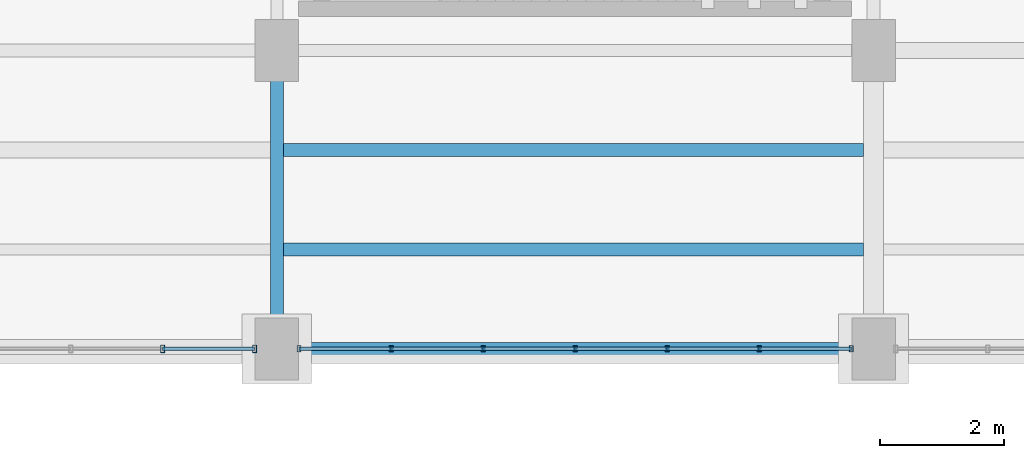
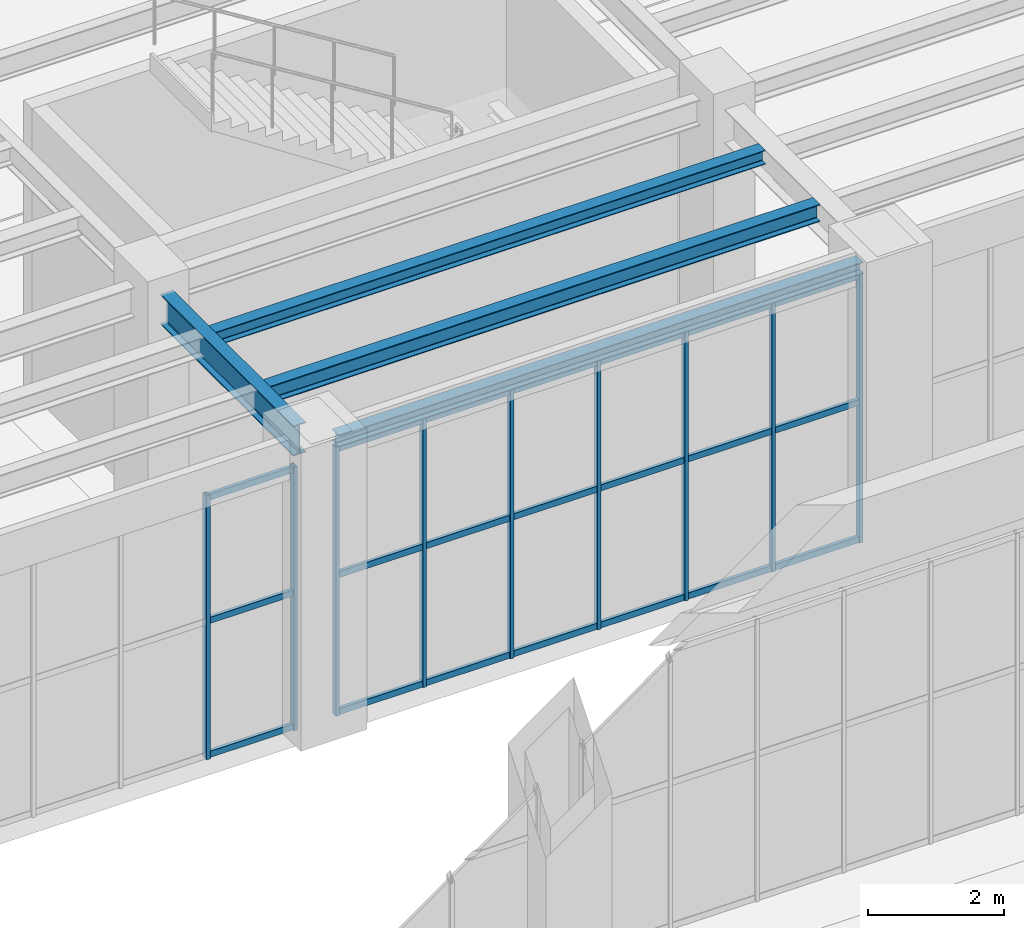
# One storey, part 101 of 164: 30 members, 4 beams, 2 elements without a shape of their own.
"""IFC4 building model written with IfcOpenShell, lengths in metres."""

from ifc_helpers import new_model, si_unit, direction, frame, origin, origin_2d, place, context, subcontext, project, spatial, hollow_rectangle, i_section, extrude, material, material_profile, profile_set, type_object, element, aggregate, save


model = new_model("IFC4")

# Units and contexts
model_context = context("Model", 3, precision=1e-05, world=origin(), true_north=direction((0.0, 1.0)))
body_context = subcontext(model_context, "Body", "Model", "MODEL_VIEW")
ifc_project = project(units=[si_unit("LENGTHUNIT", "METRE"), si_unit("AREAUNIT", "SQUARE_METRE"), si_unit("VOLUMEUNIT", "CUBIC_METRE"), si_unit("PLANEANGLEUNIT", "RADIAN"), si_unit("MASSUNIT", "GRAM", prefix="KILO")], contexts=[model_context])

# Site, building, storey
site_placement = place(None, origin())
site = spatial("IfcSite", under=ifc_project, at=site_placement, CompositionType="ELEMENT")
building_placement = place(site_placement, origin())
building = spatial("IfcBuilding", under=site, at=building_placement, Name="Mavantir Sound Aquarium", CompositionType="ELEMENT")
storey_placement = place(building_placement, origin())
storey = spatial("IfcBuildingStorey", under=building, at=storey_placement, Name="L00", CompositionType="ELEMENT", Elevation=0.0)

# Beams
ifc_material_1 = material(Name="Structural Steel ASTM A992 Gr50", Category="steel")
ifc_material_profile_1 = material_profile(ifc_material_1, i_section(OverallWidth=0.202880859375, OverallDepth=0.202880859375, WebThickness=0.007080078125, FlangeThickness=0.010986328125, FilletRadius=0.010009765625, at=origin_2d()), Name="W200X46")
ifc_profile_set_1 = profile_set([ifc_material_profile_1], Name="Structural Steel ASTM A992 Gr50")
beam_type_1 = type_object("IfcBeamType", Name="BM-W200X46-E", PredefinedType="LINTEL", material=ifc_profile_set_1)
beam_1_placement = place(storey_placement, frame((146.75, 36.0, 4.964599609375), z_axis=(1.0, 0.0, 0.0), x_axis=(0.0, 1.0, 0.0)))
element("IfcBeam", 1, at=beam_1_placement, inside=storey, type_object=beam_type_1, Name="L00 primary beam SL-20 928", PredefinedType="LINTEL", context=body_context, shape_type="SweptSolid", body=[
    extrude(i_section(OverallWidth=0.202880859375, OverallDepth=0.202880859375, WebThickness=0.007080078125, FlangeThickness=0.010986328125, FilletRadius=0.010009765625, at=origin_2d()), origin(), (0.0, 0.0, 1.0), 8.89990234375),
])
ifc_material_profile_2 = material_profile(ifc_material_1, i_section(OverallWidth=0.202880859375, OverallDepth=0.251953125, WebThickness=0.008056640625, FlangeThickness=0.013427734375, FilletRadius=0.011962890625, at=origin_2d()), Name="W250X58")
ifc_profile_set_2 = profile_set([ifc_material_profile_2], Name="Structural Steel ASTM A992 Gr50")
beam_type_2 = type_object("IfcBeamType", Name="BM-W250X58-I", PredefinedType="JOIST", material=ifc_profile_set_2)
beam_2_placement = place(storey_placement, frame((146.506103515625, 39.199951171875, 4.93994140625), z_axis=(1.0, 0.0, 0.0), x_axis=(0.0, 1.0, 0.0)))
element("IfcBeam", 2, at=beam_2_placement, inside=storey, type_object=beam_type_2, Name="L00 secondary floor joist SJ-25 516", PredefinedType="JOIST", context=body_context, shape_type="SweptSolid", body=[
    extrude(i_section(OverallWidth=0.202880859375, OverallDepth=0.251953125, WebThickness=0.008056640625, FlangeThickness=0.013427734375, FilletRadius=0.011962890625, at=origin_2d()), origin(), (0.0, 0.0, 1.0), 9.331787109375),
])
ifc_material_profile_3 = material_profile(ifc_material_1, i_section(OverallWidth=0.205078125, OverallDepth=0.31005859375, WebThickness=0.009521484375, FlangeThickness=0.016357421875, FilletRadius=0.012939453125, at=origin_2d()), Name="W310X74")
ifc_profile_set_3 = profile_set([ifc_material_profile_3], Name="Structural Steel ASTM A992 Gr50")
beam_type_3 = type_object("IfcBeamType", Name="BM-W310X74-I", PredefinedType="JOIST", material=ifc_profile_set_3)
beam_3_placement = place(storey_placement, frame((146.506103515625, 37.60009765625, 4.910888671875), z_axis=(1.0, 0.0, 0.0), x_axis=(0.0, 1.0, 0.0)))
element("IfcBeam", 3, at=beam_3_placement, inside=storey, type_object=beam_type_3, Name="L00 secondary floor joist SJ-31 515", PredefinedType="JOIST", context=body_context, shape_type="SweptSolid", body=[
    extrude(i_section(OverallWidth=0.205078125, OverallDepth=0.31005859375, WebThickness=0.009521484375, FlangeThickness=0.016357421875, FilletRadius=0.012939453125, at=origin_2d()), origin(), (0.0, 0.0, 1.0), 9.331787109375),
])
ifc_material_profile_4 = material_profile(ifc_material_1, i_section(OverallWidth=0.2119140625, OverallDepth=0.5439453125, WebThickness=0.01318359375, FlangeThickness=0.021240234375, FilletRadius=0.01806640625, at=origin_2d()), Name="W530X123")
ifc_profile_set_4 = profile_set([ifc_material_profile_4], Name="Structural Steel ASTM A992 Gr50")
beam_type_4 = type_object("IfcBeamType", Name="BM-W530X123-I", PredefinedType="BEAM", material=ifc_profile_set_4)
beam_4_placement = place(storey_placement, frame((146.39990234375, 36.449951171875, 4.7939453125), z_axis=(0.0, 1.0, 0.0), x_axis=(-1.0, 0.0, 0.0)))
element("IfcBeam", 4, at=beam_4_placement, inside=storey, type_object=beam_type_4, Name="L00 primary girder SB-53 1004", PredefinedType="BEAM", context=body_context, shape_type="SweptSolid", body=[
    extrude(i_section(OverallWidth=0.2119140625, OverallDepth=0.5439453125, WebThickness=0.01318359375, FlangeThickness=0.021240234375, FilletRadius=0.01806640625, at=origin_2d()), origin(), (0.0, 0.0, 1.0), 3.900146484375),
])

# Curtain wall, members
ifc_material_2 = material(Name="Anodised Marine Aluminium and Low-E Glass", Category="aluminium")
curtain_wall_type_1 = type_object("IfcCurtainWallType", Name="CW-T23", PredefinedType="USERDEFINED", material=ifc_material_2)
curtain_wall_1_placement = place(storey_placement, origin())
curtain_wall_1 = element("IfcCurtainWall", 5, at=curtain_wall_1_placement, inside=storey, type_object=curtain_wall_type_1, Name="L00 unitised curtain wall CW-23 23", ObjectType="UNITISED GLAZING", PredefinedType="USERDEFINED")
ifc_material_3 = material(Name="Anodised Marine Aluminium 6063-T6", Category="aluminium")
ifc_material_profile_5 = material_profile(ifc_material_3, hollow_rectangle(XDim=0.06005859375, YDim=0.10009765625, WallThickness=0.00390625, at=origin_2d()), Name="ALU-MULLION-100X60")
ifc_profile_set_5 = profile_set([ifc_material_profile_5], Name="Anodised Marine Aluminium 6063-T6")
member_type_1 = type_object("IfcMemberType", Name="CW-MUL-100", PredefinedType="MULLION", material=ifc_profile_set_5)
member_1_placement = place(storey_placement, frame((146.758056640625, 36.0, 0.0), z_axis=(0.0, 0.0, 1.0), x_axis=(1.0, 0.0, 0.0)))
member_1 = element("IfcMember", 6, at=member_1_placement, type_object=member_type_1, Name="CW-L00-023 vertical mullion 1", PredefinedType="MULLION", context=body_context, shape_type="SweptSolid", body=[
    extrude(hollow_rectangle(XDim=0.06005859375, YDim=0.10009765625, WallThickness=0.00390625, at=origin_2d()), origin(), (0.0, 0.0, 1.0), 4.8330078125),
])
member_2_placement = place(storey_placement, frame((148.23876953125, 36.0, 0.0), z_axis=(0.0, 0.0, 1.0), x_axis=(1.0, 0.0, 0.0)))
member_2 = element("IfcMember", 7, at=member_2_placement, type_object=member_type_1, Name="CW-L00-023 vertical mullion 2", PredefinedType="MULLION", context=body_context, shape_type="SweptSolid", body=[
    extrude(hollow_rectangle(XDim=0.06005859375, YDim=0.10009765625, WallThickness=0.00390625, at=origin_2d()), origin(), (0.0, 0.0, 1.0), 4.8330078125),
])
member_3_placement = place(storey_placement, frame((149.71923828125, 36.0, 0.0), z_axis=(0.0, 0.0, 1.0), x_axis=(1.0, 0.0, 0.0)))
member_3 = element("IfcMember", 8, at=member_3_placement, type_object=member_type_1, Name="CW-L00-023 vertical mullion 3", PredefinedType="MULLION", context=body_context, shape_type="SweptSolid", body=[
    extrude(hollow_rectangle(XDim=0.06005859375, YDim=0.10009765625, WallThickness=0.00390625, at=origin_2d()), origin(), (0.0, 0.0, 1.0), 4.8330078125),
])
member_4_placement = place(storey_placement, frame((151.199951171875, 36.0, 0.0), z_axis=(0.0, 0.0, 1.0), x_axis=(1.0, 0.0, 0.0)))
member_4 = element("IfcMember", 9, at=member_4_placement, type_object=member_type_1, Name="CW-L00-023 vertical mullion 4", PredefinedType="MULLION", context=body_context, shape_type="SweptSolid", body=[
    extrude(hollow_rectangle(XDim=0.06005859375, YDim=0.10009765625, WallThickness=0.00390625, at=origin_2d()), origin(), (0.0, 0.0, 1.0), 4.8330078125),
])
member_5_placement = place(storey_placement, frame((152.6806640625, 36.0, 0.0), z_axis=(0.0, 0.0, 1.0), x_axis=(1.0, 0.0, 0.0)))
member_5 = element("IfcMember", 10, at=member_5_placement, type_object=member_type_1, Name="CW-L00-023 vertical mullion 5", PredefinedType="MULLION", context=body_context, shape_type="SweptSolid", body=[
    extrude(hollow_rectangle(XDim=0.06005859375, YDim=0.10009765625, WallThickness=0.00390625, at=origin_2d()), origin(), (0.0, 0.0, 1.0), 4.8330078125),
])
member_6_placement = place(storey_placement, frame((154.161376953125, 36.0, 0.0), z_axis=(0.0, 0.0, 1.0), x_axis=(1.0, 0.0, 0.0)))
member_6 = element("IfcMember", 11, at=member_6_placement, type_object=member_type_1, Name="CW-L00-023 vertical mullion 6", PredefinedType="MULLION", context=body_context, shape_type="SweptSolid", body=[
    extrude(hollow_rectangle(XDim=0.06005859375, YDim=0.10009765625, WallThickness=0.00390625, at=origin_2d()), origin(), (0.0, 0.0, 1.0), 4.8330078125),
])
member_7_placement = place(storey_placement, frame((155.64208984375, 36.0, 0.0), z_axis=(0.0, 0.0, 1.0), x_axis=(1.0, 0.0, 0.0)))
member_7 = element("IfcMember", 12, at=member_7_placement, type_object=member_type_1, Name="CW-L00-023 vertical mullion 7", PredefinedType="MULLION", context=body_context, shape_type="SweptSolid", body=[
    extrude(hollow_rectangle(XDim=0.06005859375, YDim=0.10009765625, WallThickness=0.00390625, at=origin_2d()), origin(), (0.0, 0.0, 1.0), 4.8330078125),
])

curtain_wall_type_2 = type_object("IfcCurtainWallType", Name="CW-T22", PredefinedType="USERDEFINED", material=ifc_material_2)
curtain_wall_2_placement = place(storey_placement, origin())
curtain_wall_2 = element("IfcCurtainWall", 13, at=curtain_wall_2_placement, inside=storey, type_object=curtain_wall_type_2, Name="L00 unitised curtain wall CW-22 22", ObjectType="UNITISED GLAZING", PredefinedType="USERDEFINED")
ifc_material_profile_6 = material_profile(ifc_material_3, hollow_rectangle(XDim=0.06494140625, YDim=0.1201171875, WallThickness=0.00390625, at=origin_2d()), Name="ALU-MULLION-120X65")
ifc_profile_set_6 = profile_set([ifc_material_profile_6], Name="Anodised Marine Aluminium 6063-T6")
member_type_2 = type_object("IfcMemberType", Name="CW-MUL-120", PredefinedType="MULLION", material=ifc_profile_set_6)
member_8_placement = place(storey_placement, frame((144.561279296875, 36.0, 0.0), z_axis=(0.0, 0.0, 1.0), x_axis=(1.0, 0.0, 0.0)))
member_8 = element("IfcMember", 14, at=member_8_placement, type_object=member_type_2, Name="CW-L00-022 vertical mullion 6", PredefinedType="MULLION", context=body_context, shape_type="SweptSolid", body=[
    extrude(hollow_rectangle(XDim=0.06494140625, YDim=0.1201171875, WallThickness=0.00390625, at=origin_2d()), origin(), (0.0, 0.0, 1.0), 4.72802734375),
])
member_9_placement = place(storey_placement, frame((146.0419921875, 36.0, 0.0), z_axis=(0.0, 0.0, 1.0), x_axis=(1.0, 0.0, 0.0)))
member_9 = element("IfcMember", 15, at=member_9_placement, type_object=member_type_2, Name="CW-L00-022 vertical mullion 7", PredefinedType="MULLION", context=body_context, shape_type="SweptSolid", body=[
    extrude(hollow_rectangle(XDim=0.06494140625, YDim=0.1201171875, WallThickness=0.00390625, at=origin_2d()), origin(), (0.0, 0.0, 1.0), 4.72802734375),
])
ifc_material_profile_7 = material_profile(ifc_material_3, hollow_rectangle(XDim=0.06005859375, YDim=0.110107421875, WallThickness=0.00390625, at=origin_2d()), Name="ALU-TRANSOM-110X60")
ifc_profile_set_7 = profile_set([ifc_material_profile_7], Name="Anodised Marine Aluminium 6063-T6")
member_type_3 = type_object("IfcMemberType", Name="CW-TRN-110", PredefinedType="USERDEFINED", material=ifc_profile_set_7)
member_10_placement = place(storey_placement, frame((144.561279296875, 36.0, 0.054931640625), z_axis=(1.0, 0.0, 0.0), x_axis=(0.0, 1.0, 0.0)))
member_10 = element("IfcMember", 16, at=member_10_placement, type_object=member_type_3, Name="CW-L00-022 transom 6.1", ObjectType="TRANSOM", PredefinedType="USERDEFINED", context=body_context, shape_type="SweptSolid", body=[
    extrude(hollow_rectangle(XDim=0.06005859375, YDim=0.110107421875, WallThickness=0.00390625, at=origin_2d()), origin(), (0.0, 0.0, 1.0), 1.480712890625),
])
member_11_placement = place(storey_placement, frame((144.561279296875, 36.0, 2.45849609375), z_axis=(1.0, 0.0, 0.0), x_axis=(0.0, 1.0, 0.0)))
member_11 = element("IfcMember", 17, at=member_11_placement, type_object=member_type_3, Name="CW-L00-022 transom 6.2", ObjectType="TRANSOM", PredefinedType="USERDEFINED", context=body_context, shape_type="SweptSolid", body=[
    extrude(hollow_rectangle(XDim=0.06005859375, YDim=0.110107421875, WallThickness=0.00390625, at=origin_2d()), origin(), (0.0, 0.0, 1.0), 1.480712890625),
])
member_12_placement = place(storey_placement, frame((144.561279296875, 36.0, 4.673095703125), z_axis=(1.0, 0.0, 0.0), x_axis=(0.0, 1.0, 0.0)))
member_12 = element("IfcMember", 18, at=member_12_placement, type_object=member_type_3, Name="CW-L00-022 transom 6.3", ObjectType="TRANSOM", PredefinedType="USERDEFINED", context=body_context, shape_type="SweptSolid", body=[
    extrude(hollow_rectangle(XDim=0.06005859375, YDim=0.110107421875, WallThickness=0.00390625, at=origin_2d()), origin(), (0.0, 0.0, 1.0), 1.480712890625),
])
aggregate(curtain_wall_2, [member_8, member_9, member_10, member_11, member_12])

# Member
member_13_placement = place(storey_placement, frame((146.758056640625, 36.0, 0.054931640625), z_axis=(1.0, 0.0, 0.0), x_axis=(0.0, 1.0, 0.0)))
member_13 = element("IfcMember", 19, at=member_13_placement, type_object=member_type_3, Name="CW-L00-023 transom 1.1", ObjectType="TRANSOM", PredefinedType="USERDEFINED", context=body_context, shape_type="SweptSolid", body=[
    extrude(hollow_rectangle(XDim=0.06005859375, YDim=0.110107421875, WallThickness=0.00390625, at=origin_2d()), origin(), (0.0, 0.0, 1.0), 1.480712890625),
])

member_14_placement = place(storey_placement, frame((146.758056640625, 36.0, 2.51318359375), z_axis=(1.0, 0.0, 0.0), x_axis=(0.0, 1.0, 0.0)))
member_14 = element("IfcMember", 20, at=member_14_placement, type_object=member_type_3, Name="CW-L00-023 transom 1.2", ObjectType="TRANSOM", PredefinedType="USERDEFINED", context=body_context, shape_type="SweptSolid", body=[
    extrude(hollow_rectangle(XDim=0.06005859375, YDim=0.110107421875, WallThickness=0.00390625, at=origin_2d()), origin(), (0.0, 0.0, 1.0), 1.480712890625),
])

member_15_placement = place(storey_placement, frame((146.758056640625, 36.0, 4.778076171875), z_axis=(1.0, 0.0, 0.0), x_axis=(0.0, 1.0, 0.0)))
member_15 = element("IfcMember", 21, at=member_15_placement, type_object=member_type_3, Name="CW-L00-023 transom 1.3", ObjectType="TRANSOM", PredefinedType="USERDEFINED", context=body_context, shape_type="SweptSolid", body=[
    extrude(hollow_rectangle(XDim=0.06005859375, YDim=0.110107421875, WallThickness=0.00390625, at=origin_2d()), origin(), (0.0, 0.0, 1.0), 1.480712890625),
])

member_16_placement = place(storey_placement, frame((148.23876953125, 36.0, 0.054931640625), z_axis=(1.0, 0.0, 0.0), x_axis=(0.0, 1.0, 0.0)))
member_16 = element("IfcMember", 22, at=member_16_placement, type_object=member_type_3, Name="CW-L00-023 transom 2.1", ObjectType="TRANSOM", PredefinedType="USERDEFINED", context=body_context, shape_type="SweptSolid", body=[
    extrude(hollow_rectangle(XDim=0.06005859375, YDim=0.110107421875, WallThickness=0.00390625, at=origin_2d()), origin(), (0.0, 0.0, 1.0), 1.48046875),
])

member_17_placement = place(storey_placement, frame((148.23876953125, 36.0, 2.51318359375), z_axis=(1.0, 0.0, 0.0), x_axis=(0.0, 1.0, 0.0)))
member_17 = element("IfcMember", 23, at=member_17_placement, type_object=member_type_3, Name="CW-L00-023 transom 2.2", ObjectType="TRANSOM", PredefinedType="USERDEFINED", context=body_context, shape_type="SweptSolid", body=[
    extrude(hollow_rectangle(XDim=0.06005859375, YDim=0.110107421875, WallThickness=0.00390625, at=origin_2d()), origin(), (0.0, 0.0, 1.0), 1.48046875),
])

member_18_placement = place(storey_placement, frame((148.23876953125, 36.0, 4.778076171875), z_axis=(1.0, 0.0, 0.0), x_axis=(0.0, 1.0, 0.0)))
member_18 = element("IfcMember", 24, at=member_18_placement, type_object=member_type_3, Name="CW-L00-023 transom 2.3", ObjectType="TRANSOM", PredefinedType="USERDEFINED", context=body_context, shape_type="SweptSolid", body=[
    extrude(hollow_rectangle(XDim=0.06005859375, YDim=0.110107421875, WallThickness=0.00390625, at=origin_2d()), origin(), (0.0, 0.0, 1.0), 1.48046875),
])

member_19_placement = place(storey_placement, frame((149.71923828125, 36.0, 0.054931640625), z_axis=(1.0, 0.0, 0.0), x_axis=(0.0, 1.0, 0.0)))
member_19 = element("IfcMember", 25, at=member_19_placement, type_object=member_type_3, Name="CW-L00-023 transom 3.1", ObjectType="TRANSOM", PredefinedType="USERDEFINED", context=body_context, shape_type="SweptSolid", body=[
    extrude(hollow_rectangle(XDim=0.06005859375, YDim=0.110107421875, WallThickness=0.00390625, at=origin_2d()), origin(), (0.0, 0.0, 1.0), 1.480712890625),
])

member_20_placement = place(storey_placement, frame((149.71923828125, 36.0, 2.51318359375), z_axis=(1.0, 0.0, 0.0), x_axis=(0.0, 1.0, 0.0)))
member_20 = element("IfcMember", 26, at=member_20_placement, type_object=member_type_3, Name="CW-L00-023 transom 3.2", ObjectType="TRANSOM", PredefinedType="USERDEFINED", context=body_context, shape_type="SweptSolid", body=[
    extrude(hollow_rectangle(XDim=0.06005859375, YDim=0.110107421875, WallThickness=0.00390625, at=origin_2d()), origin(), (0.0, 0.0, 1.0), 1.480712890625),
])

member_21_placement = place(storey_placement, frame((149.71923828125, 36.0, 4.778076171875), z_axis=(1.0, 0.0, 0.0), x_axis=(0.0, 1.0, 0.0)))
member_21 = element("IfcMember", 27, at=member_21_placement, type_object=member_type_3, Name="CW-L00-023 transom 3.3", ObjectType="TRANSOM", PredefinedType="USERDEFINED", context=body_context, shape_type="SweptSolid", body=[
    extrude(hollow_rectangle(XDim=0.06005859375, YDim=0.110107421875, WallThickness=0.00390625, at=origin_2d()), origin(), (0.0, 0.0, 1.0), 1.480712890625),
])

member_22_placement = place(storey_placement, frame((151.199951171875, 36.0, 0.054931640625), z_axis=(1.0, 0.0, 0.0), x_axis=(0.0, 1.0, 0.0)))
member_22 = element("IfcMember", 28, at=member_22_placement, type_object=member_type_3, Name="CW-L00-023 transom 4.1", ObjectType="TRANSOM", PredefinedType="USERDEFINED", context=body_context, shape_type="SweptSolid", body=[
    extrude(hollow_rectangle(XDim=0.06005859375, YDim=0.110107421875, WallThickness=0.00390625, at=origin_2d()), origin(), (0.0, 0.0, 1.0), 1.480712890625),
])

member_23_placement = place(storey_placement, frame((151.199951171875, 36.0, 2.51318359375), z_axis=(1.0, 0.0, 0.0), x_axis=(0.0, 1.0, 0.0)))
member_23 = element("IfcMember", 29, at=member_23_placement, type_object=member_type_3, Name="CW-L00-023 transom 4.2", ObjectType="TRANSOM", PredefinedType="USERDEFINED", context=body_context, shape_type="SweptSolid", body=[
    extrude(hollow_rectangle(XDim=0.06005859375, YDim=0.110107421875, WallThickness=0.00390625, at=origin_2d()), origin(), (0.0, 0.0, 1.0), 1.480712890625),
])

member_24_placement = place(storey_placement, frame((151.199951171875, 36.0, 4.778076171875), z_axis=(1.0, 0.0, 0.0), x_axis=(0.0, 1.0, 0.0)))
member_24 = element("IfcMember", 30, at=member_24_placement, type_object=member_type_3, Name="CW-L00-023 transom 4.3", ObjectType="TRANSOM", PredefinedType="USERDEFINED", context=body_context, shape_type="SweptSolid", body=[
    extrude(hollow_rectangle(XDim=0.06005859375, YDim=0.110107421875, WallThickness=0.00390625, at=origin_2d()), origin(), (0.0, 0.0, 1.0), 1.480712890625),
])

member_25_placement = place(storey_placement, frame((152.6806640625, 36.0, 0.054931640625), z_axis=(1.0, 0.0, 0.0), x_axis=(0.0, 1.0, 0.0)))
member_25 = element("IfcMember", 31, at=member_25_placement, type_object=member_type_3, Name="CW-L00-023 transom 5.1", ObjectType="TRANSOM", PredefinedType="USERDEFINED", context=body_context, shape_type="SweptSolid", body=[
    extrude(hollow_rectangle(XDim=0.06005859375, YDim=0.110107421875, WallThickness=0.00390625, at=origin_2d()), origin(), (0.0, 0.0, 1.0), 1.480712890625),
])

member_26_placement = place(storey_placement, frame((152.6806640625, 36.0, 2.51318359375), z_axis=(1.0, 0.0, 0.0), x_axis=(0.0, 1.0, 0.0)))
member_26 = element("IfcMember", 32, at=member_26_placement, type_object=member_type_3, Name="CW-L00-023 transom 5.2", ObjectType="TRANSOM", PredefinedType="USERDEFINED", context=body_context, shape_type="SweptSolid", body=[
    extrude(hollow_rectangle(XDim=0.06005859375, YDim=0.110107421875, WallThickness=0.00390625, at=origin_2d()), origin(), (0.0, 0.0, 1.0), 1.480712890625),
])

member_27_placement = place(storey_placement, frame((152.6806640625, 36.0, 4.778076171875), z_axis=(1.0, 0.0, 0.0), x_axis=(0.0, 1.0, 0.0)))
member_27 = element("IfcMember", 33, at=member_27_placement, type_object=member_type_3, Name="CW-L00-023 transom 5.3", ObjectType="TRANSOM", PredefinedType="USERDEFINED", context=body_context, shape_type="SweptSolid", body=[
    extrude(hollow_rectangle(XDim=0.06005859375, YDim=0.110107421875, WallThickness=0.00390625, at=origin_2d()), origin(), (0.0, 0.0, 1.0), 1.480712890625),
])

member_28_placement = place(storey_placement, frame((154.161376953125, 36.0, 0.054931640625), z_axis=(1.0, 0.0, 0.0), x_axis=(0.0, 1.0, 0.0)))
member_28 = element("IfcMember", 34, at=member_28_placement, type_object=member_type_3, Name="CW-L00-023 transom 6.1", ObjectType="TRANSOM", PredefinedType="USERDEFINED", context=body_context, shape_type="SweptSolid", body=[
    extrude(hollow_rectangle(XDim=0.06005859375, YDim=0.110107421875, WallThickness=0.00390625, at=origin_2d()), origin(), (0.0, 0.0, 1.0), 1.480712890625),
])

member_29_placement = place(storey_placement, frame((154.161376953125, 36.0, 2.51318359375), z_axis=(1.0, 0.0, 0.0), x_axis=(0.0, 1.0, 0.0)))
member_29 = element("IfcMember", 35, at=member_29_placement, type_object=member_type_3, Name="CW-L00-023 transom 6.2", ObjectType="TRANSOM", PredefinedType="USERDEFINED", context=body_context, shape_type="SweptSolid", body=[
    extrude(hollow_rectangle(XDim=0.06005859375, YDim=0.110107421875, WallThickness=0.00390625, at=origin_2d()), origin(), (0.0, 0.0, 1.0), 1.480712890625),
])

member_30_placement = place(storey_placement, frame((154.161376953125, 36.0, 4.778076171875), z_axis=(1.0, 0.0, 0.0), x_axis=(0.0, 1.0, 0.0)))
member_30 = element("IfcMember", 36, at=member_30_placement, type_object=member_type_3, Name="CW-L00-023 transom 6.3", ObjectType="TRANSOM", PredefinedType="USERDEFINED", context=body_context, shape_type="SweptSolid", body=[
    extrude(hollow_rectangle(XDim=0.06005859375, YDim=0.110107421875, WallThickness=0.00390625, at=origin_2d()), origin(), (0.0, 0.0, 1.0), 1.480712890625),
])

aggregate(curtain_wall_1, [member_1, member_2, member_3, member_4, member_5, member_6, member_7, member_13, member_14, member_15, member_16, member_17, member_18, member_19, member_20, member_21, member_22, member_23, member_24, member_25, member_26, member_27, member_28, member_29, member_30])

save(model, "model.ifc")
